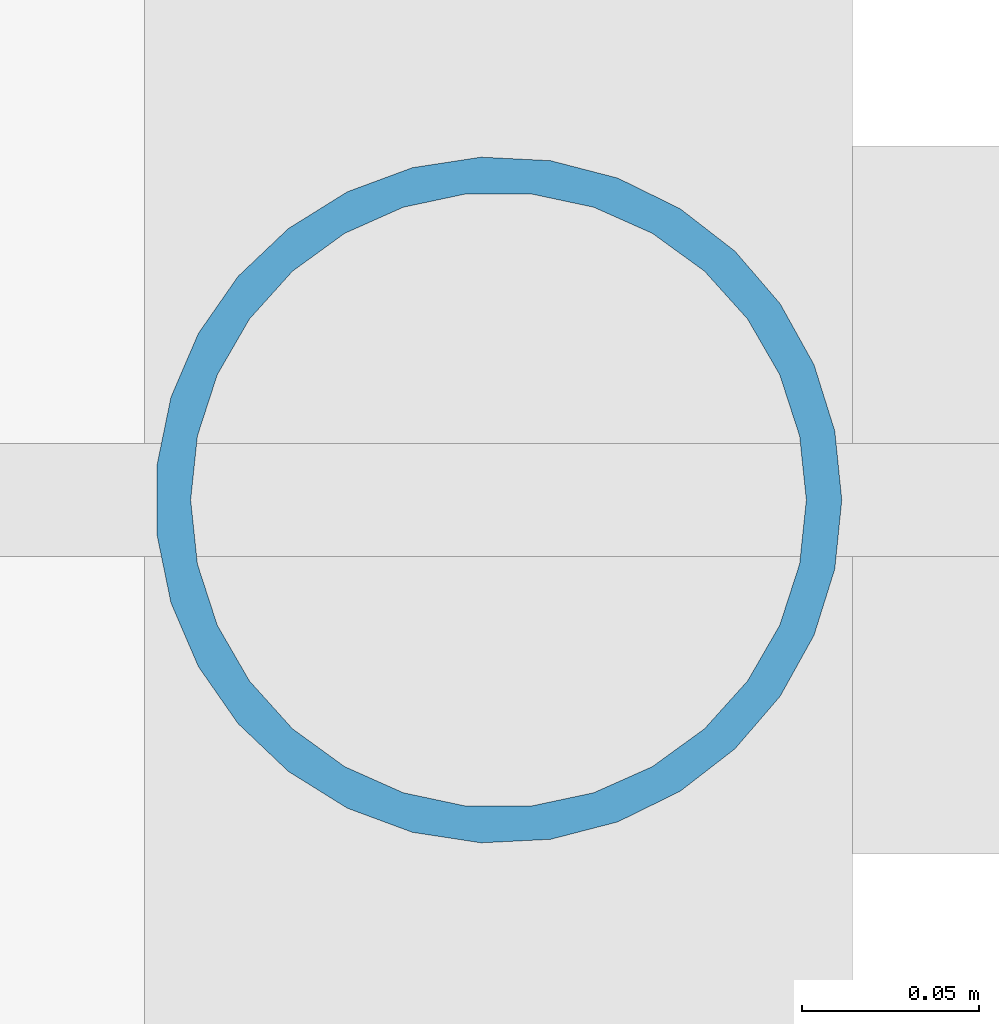
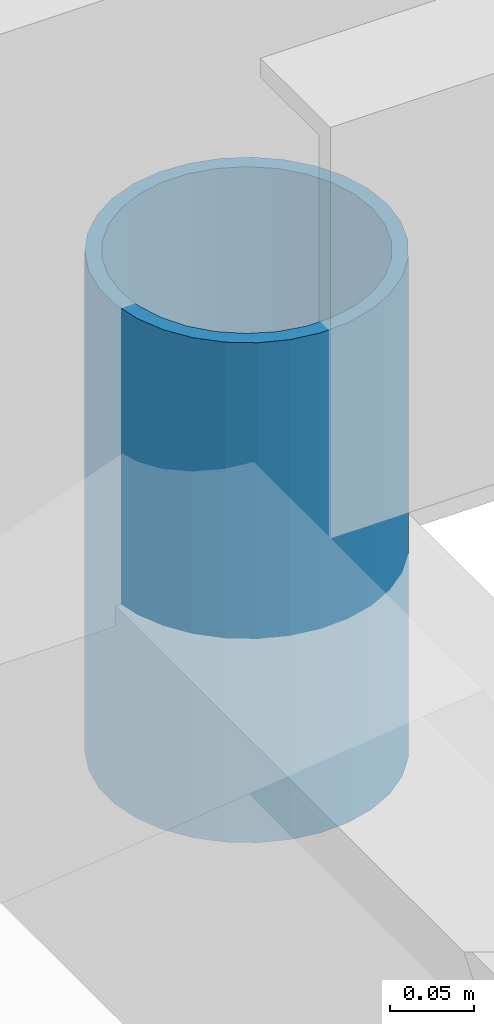
# One storey, part 127 of 168: 1 member.
"""IFC4 building model written with IfcOpenShell, lengths in metres."""

from ifc_helpers import new_model, si_unit, direction, frame, origin, origin_2d, place, context, subcontext, project, spatial, hollow_circle, extrude, material, material_profile, profile_set, type_object, element, save


model = new_model("IFC4")

# Units and contexts
model_context = context("Model", 3, precision=1e-05, world=origin(), true_north=direction((0.0, 1.0)))
body_context = subcontext(model_context, "Body", "Model", "MODEL_VIEW")
ifc_project = project(units=[si_unit("LENGTHUNIT", "METRE"), si_unit("AREAUNIT", "SQUARE_METRE"), si_unit("VOLUMEUNIT", "CUBIC_METRE"), si_unit("PLANEANGLEUNIT", "RADIAN"), si_unit("MASSUNIT", "GRAM", prefix="KILO"), si_unit("THERMODYNAMICTEMPERATUREUNIT", "KELVIN"), si_unit("POWERUNIT", "WATT")], contexts=[model_context])

# Site, building, storey
site_placement = place(None, origin())
site = spatial("IfcSite", under=ifc_project, at=site_placement, CompositionType="ELEMENT")
building_placement = place(site_placement, origin())
building = spatial("IfcBuilding", under=site, at=building_placement, Name="Tepalcoro Natatorium and Aquatics Centre", CompositionType="ELEMENT")
storey_placement = place(building_placement, frame((0.0, 0.0, 10.199951171875)))
storey = spatial("IfcBuildingStorey", under=building, at=storey_placement, Name="L02", CompositionType="ELEMENT", Elevation=10.199951171875)

# Member
ifc_material = material(Name="Terracotta Painted Hollow Steel ASTM A500 Grade C (Fy 345 MPa)", Category="masonry")
ifc_material_profile = material_profile(ifc_material, hollow_circle(Radius=0.096923828125, WallThickness=0.010009765625, at=origin_2d()), Name="CHS194X10")
ifc_profile_set = profile_set([ifc_material_profile], Name="Terracotta Painted Hollow Steel ASTM A500 Grade C (Fy 345 MPa)")
member_type = type_object("IfcMemberType", Name="MB_PS_CHS194x10", PredefinedType="POST", material=ifc_profile_set)
member_placement = place(storey_placement, frame((75.0, 36.0, 12.525146484375), z_axis=(0.0, 0.0, 1.0), x_axis=(1.0, 0.0, 0.0)))
element("IfcMember", 1, at=member_placement, inside=storey, type_object=member_type, Name="Pyramid Lantern King-Post W", PredefinedType="POST", context=body_context, shape_type="SweptSolid", body=[
    extrude(hollow_circle(Radius=0.096923828125, WallThickness=0.010009765625, at=origin_2d()), origin(), (0.0, 0.0, 1.0), 0.364990234375),
])

save(model, "model.ifc")
